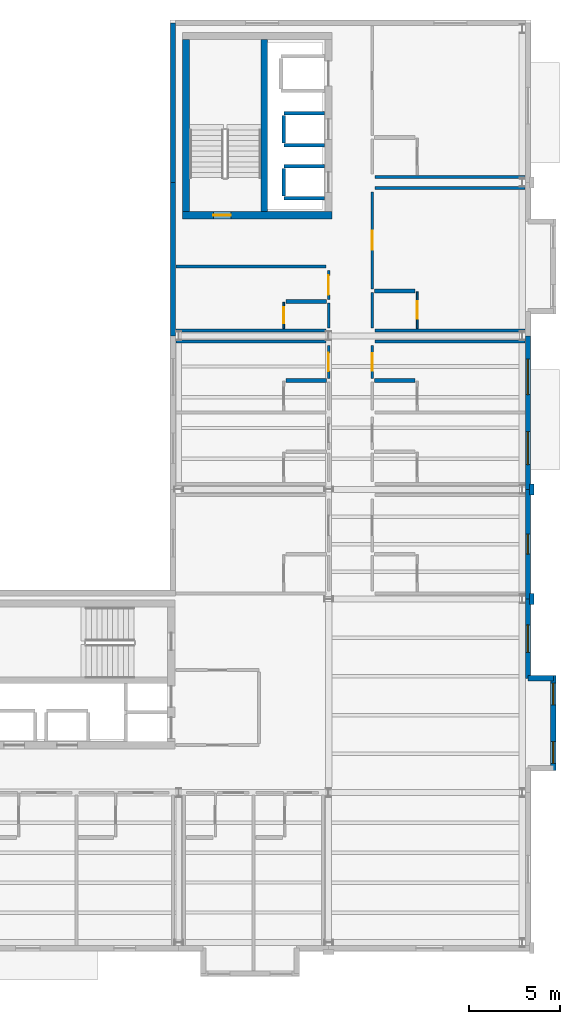
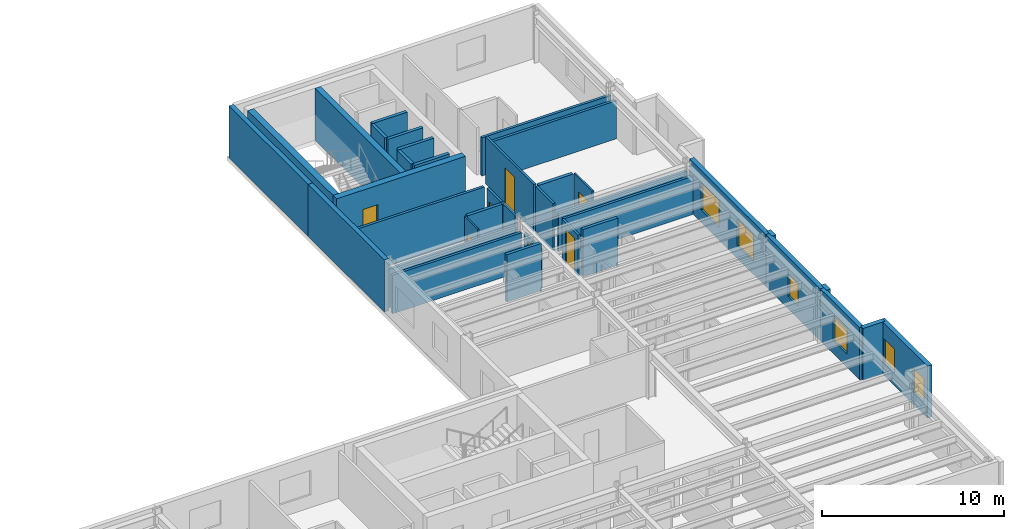
# One storey, part 11 of 17: 37 walls, 7 doors, 6 windows, 13 openings.
"""IFC4 building model written with IfcOpenShell, lengths in metres."""

from ifc_helpers import new_model, si_unit, direction, frame, frame_2d, origin, place, context, subcontext, project, spatial, rectangle, extrude, material, layer, layer_set, type_object, element, fill, save


model = new_model("IFC4")

# Units and contexts
model_context = context("Model", 3, precision=1e-05, world=origin(), true_north=direction((0.0, 1.0)))
body_context = subcontext(model_context, "Body", "Model", "MODEL_VIEW")
ifc_project = project(units=[si_unit("LENGTHUNIT", "METRE"), si_unit("AREAUNIT", "SQUARE_METRE"), si_unit("VOLUMEUNIT", "CUBIC_METRE"), si_unit("PLANEANGLEUNIT", "RADIAN"), si_unit("MASSUNIT", "GRAM", prefix="KILO")], contexts=[model_context])

# Site, building, storey
site_placement = place(None, origin())
site = spatial("IfcSite", under=ifc_project, at=site_placement, CompositionType="ELEMENT")
building_placement = place(site_placement, origin())
building = spatial("IfcBuilding", under=site, at=building_placement, Name="Sollismere Congress Hotel", CompositionType="ELEMENT")
storey_placement = place(building_placement, frame((0.0, 0.0, 41.10009765625)))
storey = spatial("IfcBuildingStorey", under=building, at=storey_placement, Name="L10", CompositionType="ELEMENT", Elevation=41.10009765625)

# Wall, opening, window
ifc_material_1 = material(Name="Colorado Buff Sandstone Rainscreen on Insulated Backup", Category="masonry")
ifc_layer_1 = layer(ifc_material_1, 0.284912109375, Name="Colorado Buff Sandstone Rainscreen on Insulated Backup")
ifc_layer_set_1 = layer_set([ifc_layer_1], Name="Colorado Buff Sandstone Rainscreen on Insulated Backup")
wall_type_1 = type_object("IfcWallType", Name="WL-EXT285", PredefinedType="STANDARD", material=ifc_layer_set_1)
wall_1_placement = place(storey_placement, frame((166.31005859375, 14.4599609375, 0.0), z_axis=(0.0, 0.0, 1.0), x_axis=(0.0, 1.0, 0.0)))
wall_1 = element("IfcWall", 1, at=wall_1_placement, inside=storey, type_object=wall_type_1, Name="Exterior wall EW-L10-969", PredefinedType="STANDARD", context=body_context, shape_type="SweptSolid", body=[
    extrude(rectangle(XDim=4.340087890625, YDim=0.284912109375, at=frame_2d((2.169921875, 0.0))), origin(), (0.0, 0.0, 1.0), 3.5),
])
opening_1_placement = place(wall_1_placement, frame((1.419921875, 0.0, 0.8798828125)))
opening_1 = element("IfcOpeningElement", 2, at=opening_1_placement, cuts=wall_1, Name="Opening W-L10-691", PredefinedType="OPENING", context=body_context, shape_type="SweptSolid", body=[
    extrude(rectangle(XDim=1.5, YDim=1.699951171875, at=frame_2d((0.75, 0.85009765625))), frame((0.0, 0.15234375, 0.0), z_axis=(0.0, -1.0, 0.0), x_axis=(1.0, 0.0, 0.0)), (0.0, 0.0, 1.0), 0.304931640625),
])
ifc_material_2 = material(Name="Thermally Broken Bronze Aluminum & Low-E Glass", Category="aluminium")
window_type_1 = type_object("IfcWindowType", Name="WN-P150x170", PartitioningType="SINGLE_PANEL", PredefinedType="WINDOW", material=ifc_material_2)
window_1_placement = place(opening_1_placement, origin())
window_1 = element("IfcWindow", 3, at=window_1_placement, inside=storey, type_object=window_type_1, Name="WIN-W-L10-691", OverallHeight=1.699951171875, OverallWidth=1.5, PartitioningType="SINGLE_PANEL", PredefinedType="WINDOW", context=body_context, shape_type="SweptSolid", body=[
    extrude(rectangle(XDim=1.5, YDim=1.699951171875, at=frame_2d((0.75, 0.85009765625))), frame((0.0, 0.030029296875, 0.0), z_axis=(0.0, -1.0, 0.0), x_axis=(1.0, 0.0, 0.0)), (0.0, 0.0, 1.0), 0.06005859375),
])
fill(opening_1, window_1)

# Wall, openings, windows
wall_2_placement = place(storey_placement, frame((167.699951171875, 9.39990234375, 0.0), z_axis=(0.0, 0.0, 1.0), x_axis=(0.0, 1.0, 0.0)))
wall_2 = element("IfcWall", 4, at=wall_2_placement, inside=storey, type_object=wall_type_1, Name="Exterior wall EW-L10-970", PredefinedType="STANDARD", context=body_context, shape_type="SweptSolid", body=[
    extrude(rectangle(XDim=5.2001953125, YDim=0.284912109375, at=frame_2d((2.60009765625, 0.0))), origin(), (0.0, 0.0, 1.0), 3.5),
])
opening_2_placement = place(wall_2_placement, frame((0.39990234375, 0.0, 0.85009765625)))
opening_2 = element("IfcOpeningElement", 5, at=opening_2_placement, cuts=wall_2, Name="Opening W-L10-692", PredefinedType="OPENING", context=body_context, shape_type="SweptSolid", body=[
    extrude(rectangle(XDim=1.199951171875, YDim=1.60009765625, at=frame_2d((0.60009765625, 0.800048828125))), frame((0.0, 0.15234375, 0.0), z_axis=(0.0, -1.0, 0.0), x_axis=(1.0, 0.0, 0.0)), (0.0, 0.0, 1.0), 0.304931640625),
])
opening_3_placement = place(wall_2_placement, frame((3.60009765625, 0.0, 0.85009765625)))
opening_3 = element("IfcOpeningElement", 6, at=opening_3_placement, cuts=wall_2, Name="Opening W-L10-693", PredefinedType="OPENING", context=body_context, shape_type="SweptSolid", body=[
    extrude(rectangle(XDim=1.199951171875, YDim=1.60009765625, at=frame_2d((0.60009765625, 0.800048828125))), frame((0.0, 0.15234375, 0.0), z_axis=(0.0, -1.0, 0.0), x_axis=(1.0, 0.0, 0.0)), (0.0, 0.0, 1.0), 0.304931640625),
])
window_type_2 = type_object("IfcWindowType", Name="WN-P120x160", PartitioningType="SINGLE_PANEL", PredefinedType="WINDOW", material=ifc_material_2)
window_2_placement = place(opening_2_placement, origin())
window_2 = element("IfcWindow", 7, at=window_2_placement, inside=storey, type_object=window_type_2, Name="WIN-W-L10-692", OverallHeight=1.60009765625, OverallWidth=1.199951171875, PartitioningType="SINGLE_PANEL", PredefinedType="WINDOW", context=body_context, shape_type="SweptSolid", body=[
    extrude(rectangle(XDim=1.199951171875, YDim=1.60009765625, at=frame_2d((0.60009765625, 0.800048828125))), frame((0.0, 0.030029296875, 0.0), z_axis=(0.0, -1.0, 0.0), x_axis=(1.0, 0.0, 0.0)), (0.0, 0.0, 1.0), 0.06005859375),
])
fill(opening_2, window_2)
window_3_placement = place(opening_3_placement, origin())
window_3 = element("IfcWindow", 8, at=window_3_placement, inside=storey, type_object=window_type_2, Name="WIN-W-L10-693", OverallHeight=1.60009765625, OverallWidth=1.199951171875, PartitioningType="SINGLE_PANEL", PredefinedType="WINDOW", context=body_context, shape_type="SweptSolid", body=[
    extrude(rectangle(XDim=1.199951171875, YDim=1.60009765625, at=frame_2d((0.60009765625, 0.800048828125))), frame((0.0, 0.030029296875, 0.0), z_axis=(0.0, -1.0, 0.0), x_axis=(1.0, 0.0, 0.0)), (0.0, 0.0, 1.0), 0.06005859375),
])
fill(opening_3, window_3)

# Wall
wall_3_placement = place(storey_placement, frame((167.699951171875, 14.4599609375, 0.0), z_axis=(0.0, 0.0, 1.0), x_axis=(-1.0, 0.0, 0.0)))
element("IfcWall", 9, at=wall_3_placement, inside=storey, type_object=wall_type_1, Name="Exterior wall EW-L10-972", PredefinedType="STANDARD", context=body_context, shape_type="SweptSolid", body=[
    extrude(rectangle(XDim=1.389892578125, YDim=0.284912109375, at=frame_2d((0.69482421875, 0.0))), origin(), (0.0, 0.0, 1.0), 3.5),
])

# Wall, opening, window
wall_4_placement = place(storey_placement, frame((166.31005859375, 18.800048828125, 0.0), z_axis=(0.0, 0.0, 1.0), x_axis=(0.0, 1.0, 0.0)))
wall_4 = element("IfcWall", 10, at=wall_4_placement, inside=storey, type_object=wall_type_1, Name="Exterior wall EW-L10-973", PredefinedType="STANDARD", context=body_context, shape_type="SweptSolid", body=[
    extrude(rectangle(XDim=6.0, YDim=0.284912109375, at=frame_2d((3.0, 0.0))), origin(), (0.0, 0.0, 1.0), 3.5),
])
opening_4_placement = place(wall_4_placement, frame((2.449951171875, 0.0, 0.85009765625)))
opening_4 = element("IfcOpeningElement", 11, at=opening_4_placement, cuts=wall_4, Name="Opening W-L10-694", PredefinedType="OPENING", context=body_context, shape_type="SweptSolid", body=[
    extrude(rectangle(XDim=1.10009765625, YDim=1.5, at=frame_2d((0.550048828125, 0.75))), frame((0.0, 0.15234375, 0.0), z_axis=(0.0, -1.0, 0.0), x_axis=(1.0, 0.0, 0.0)), (0.0, 0.0, 1.0), 0.304931640625),
])
window_type_3 = type_object("IfcWindowType", Name="WN-P110x150", PartitioningType="SINGLE_PANEL", PredefinedType="WINDOW", material=ifc_material_2)
window_4_placement = place(opening_4_placement, origin())
window_4 = element("IfcWindow", 12, at=window_4_placement, inside=storey, type_object=window_type_3, Name="WIN-W-L10-694", OverallHeight=1.5, OverallWidth=1.10009765625, PartitioningType="SINGLE_PANEL", PredefinedType="WINDOW", context=body_context, shape_type="SweptSolid", body=[
    extrude(rectangle(XDim=1.10009765625, YDim=1.5, at=frame_2d((0.550048828125, 0.75))), frame((0.0, 0.030029296875, 0.0), z_axis=(0.0, -1.0, 0.0), x_axis=(1.0, 0.0, 0.0)), (0.0, 0.0, 1.0), 0.06005859375),
])
fill(opening_4, window_4)

# Wall, openings, windows
wall_5_placement = place(storey_placement, frame((166.31005859375, 24.800048828125, 0.0), z_axis=(0.0, 0.0, 1.0), x_axis=(0.0, 1.0, 0.0)))
wall_5 = element("IfcWall", 13, at=wall_5_placement, inside=storey, type_object=wall_type_1, Name="Exterior wall EW-L10-975", PredefinedType="STANDARD", context=body_context, shape_type="SweptSolid", body=[
    extrude(rectangle(XDim=8.39990234375, YDim=0.284912109375, at=frame_2d((4.199951171875, 0.0))), origin(), (0.0, 0.0, 1.0), 3.5),
])
opening_5_placement = place(wall_5_placement, frame((1.35009765625, 0.0, 0.85009765625)))
opening_5 = element("IfcOpeningElement", 14, at=opening_5_placement, cuts=wall_5, Name="Opening W-L10-695", PredefinedType="OPENING", context=body_context, shape_type="SweptSolid", body=[
    extrude(rectangle(XDim=1.800048828125, YDim=1.800048828125, at=frame_2d((0.89990234375, 0.89990234375))), frame((0.0, 0.15234375, 0.0), z_axis=(0.0, -1.0, 0.0), x_axis=(1.0, 0.0, 0.0)), (0.0, 0.0, 1.0), 0.304931640625),
])
opening_6_placement = place(wall_5_placement, frame((5.175048828125, 0.0, 0.85009765625)))
opening_6 = element("IfcOpeningElement", 15, at=opening_6_placement, cuts=wall_5, Name="Opening W-L10-696", PredefinedType="OPENING", context=body_context, shape_type="SweptSolid", body=[
    extrude(rectangle(XDim=1.949951171875, YDim=1.85009765625, at=frame_2d((0.97509765625, 0.925048828125))), frame((0.0, 0.15234375, 0.0), z_axis=(0.0, -1.0, 0.0), x_axis=(1.0, 0.0, 0.0)), (0.0, 0.0, 1.0), 0.304931640625),
])
window_type_4 = type_object("IfcWindowType", Name="WN-P180x180", PartitioningType="SINGLE_PANEL", PredefinedType="WINDOW", material=ifc_material_2)
window_5_placement = place(opening_5_placement, origin())
window_5 = element("IfcWindow", 16, at=window_5_placement, inside=storey, type_object=window_type_4, Name="WIN-W-L10-695", OverallHeight=1.800048828125, OverallWidth=1.800048828125, PartitioningType="SINGLE_PANEL", PredefinedType="WINDOW", context=body_context, shape_type="SweptSolid", body=[
    extrude(rectangle(XDim=1.800048828125, YDim=1.800048828125, at=frame_2d((0.89990234375, 0.89990234375))), frame((0.0, 0.030029296875, 0.0), z_axis=(0.0, -1.0, 0.0), x_axis=(1.0, 0.0, 0.0)), (0.0, 0.0, 1.0), 0.06005859375),
])
fill(opening_5, window_5)
window_type_5 = type_object("IfcWindowType", Name="WN-P195x185", PartitioningType="SINGLE_PANEL", PredefinedType="WINDOW", material=ifc_material_2)
window_6_placement = place(opening_6_placement, origin())
window_6 = element("IfcWindow", 17, at=window_6_placement, inside=storey, type_object=window_type_5, Name="WIN-W-L10-696", OverallHeight=1.85009765625, OverallWidth=1.949951171875, PartitioningType="SINGLE_PANEL", PredefinedType="WINDOW", context=body_context, shape_type="SweptSolid", body=[
    extrude(rectangle(XDim=1.949951171875, YDim=1.85009765625, at=frame_2d((0.97509765625, 0.925048828125))), frame((0.0, 0.030029296875, 0.0), z_axis=(0.0, -1.0, 0.0), x_axis=(1.0, 0.0, 0.0)), (0.0, 0.0, 1.0), 0.06005859375),
])
fill(opening_6, window_6)

# Walls
wall_6_placement = place(storey_placement, frame((146.889892578125, 33.199951171875, 0.0), z_axis=(0.0, 0.0, 1.0), x_axis=(0.0, 1.0, 0.0)))
element("IfcWall", 18, at=wall_6_placement, inside=storey, type_object=wall_type_1, Name="Exterior wall EW-L10-992", PredefinedType="STANDARD", context=body_context, shape_type="SweptSolid", body=[
    extrude(rectangle(XDim=8.400146484375, YDim=0.284912109375, at=frame_2d((4.2001953125, 0.0))), origin(), (0.0, 0.0, 1.0), 3.5),
])
wall_7_placement = place(storey_placement, frame((146.889892578125, 41.60009765625, 0.0), z_axis=(0.0, 0.0, 1.0), x_axis=(0.0, 1.0, 0.0)))
element("IfcWall", 19, at=wall_7_placement, inside=storey, type_object=wall_type_1, Name="Exterior wall EW-L10-993", PredefinedType="STANDARD", context=body_context, shape_type="SweptSolid", body=[
    extrude(rectangle(XDim=8.7099609375, YDim=0.284912109375, at=frame_2d((4.35498046875, 0.0))), origin(), (0.0, 0.0, 1.0), 3.5),
])
ifc_material_3 = material(Name="Carved Travertine Pilaster & Frieze Assembly", Category="masonry")
ifc_layer_2 = layer(ifc_material_3, 0.260009765625, Name="Carved Travertine Pilaster & Frieze Assembly")
ifc_layer_set_2 = layer_set([ifc_layer_2], Name="Carved Travertine Pilaster & Frieze Assembly")
wall_type_2 = type_object("IfcWallType", Name="WL-PIL280", PredefinedType="ELEMENTEDWALL", material=ifc_layer_set_2)
for number, where, z_axis, x_axis, name in (
    (20, (166.52001953125, 18.5, 0.0), (0.0, 0.0, 1.0), (0.0, 1.0, 0.0), "Exterior wall EW-L10-974"),
    (21, (166.52001953125, 24.5, 0.0), (0.0, 0.0, 1.0), (0.0, 1.0, 0.0), "Exterior wall EW-L10-976"),
):
    element("IfcWall", number, at=place(storey_placement, frame(where, z_axis=z_axis, x_axis=x_axis)), inside=storey, type_object=wall_type_2, Name=name, PredefinedType="ELEMENTEDWALL", context=body_context, shape_type="SweptSolid", body=[
        extrude(rectangle(XDim=0.60009765625, YDim=0.260009765625, at=frame_2d((0.300048828125, 0.0))), origin(), (0.0, 0.0, 1.0), 3.5),
    ])
ifc_material_4 = material(Name="Moisture-Resistant Shaft Gypsum Assembly")
ifc_layer_3 = layer(ifc_material_4, 0.199951171875, Name="Moisture-Resistant Shaft Gypsum Assembly")
ifc_layer_set_3 = layer_set([ifc_layer_3], Name="Moisture-Resistant Shaft Gypsum Assembly")
wall_type_3 = type_object("IfcWallType", Name="WL-PLM200", PredefinedType="PLUMBINGWALL", material=ifc_layer_set_3)
for number, where, z_axis, x_axis, name in (
    (22, (152.955078125, 40.72998046875, 0.0), (0.0, 0.0, 1.0), (1.0, 0.0, 0.0), "Interior wall IW-L10-0537"),
    (23, (152.955078125, 42.469970703125, 0.0), (0.0, 0.0, 1.0), (1.0, 0.0, 0.0), "Interior wall IW-L10-0538"),
):
    element("IfcWall", number, at=place(storey_placement, frame(where, z_axis=z_axis, x_axis=x_axis)), inside=storey, type_object=wall_type_3, Name=name, PredefinedType="PLUMBINGWALL", context=body_context, shape_type="SweptSolid", body=[
        extrude(rectangle(XDim=2.23291015625, YDim=0.199951171875, at=frame_2d((1.116455078125, 0.0))), origin(), (0.0, 0.0, 1.0), 3.179931640625),
    ])
wall_8_placement = place(storey_placement, frame((152.955078125, 40.842041015625, 0.0), z_axis=(0.0, 0.0, 1.0), x_axis=(0.0, 1.0, 0.0)))
element("IfcWall", 24, at=wall_8_placement, inside=storey, type_object=wall_type_3, Name="Interior wall IW-L10-0539", PredefinedType="PLUMBINGWALL", context=body_context, shape_type="SweptSolid", body=[
    extrude(rectangle(XDim=1.515869140625, YDim=0.199951171875, at=frame_2d((0.7578125, 0.0))), origin(), (0.0, 0.0, 1.0), 3.179931640625),
])
for number, where, z_axis, x_axis, name in (
    (25, (152.955078125, 43.6298828125, 0.0), (0.0, 0.0, 1.0), (1.0, 0.0, 0.0), "Interior wall IW-L10-0540"),
    (26, (152.955078125, 45.3701171875, 0.0), (0.0, 0.0, 1.0), (1.0, 0.0, 0.0), "Interior wall IW-L10-0541"),
):
    element("IfcWall", number, at=place(storey_placement, frame(where, z_axis=z_axis, x_axis=x_axis)), inside=storey, type_object=wall_type_3, Name=name, PredefinedType="PLUMBINGWALL", context=body_context, shape_type="SweptSolid", body=[
        extrude(rectangle(XDim=2.23291015625, YDim=0.199951171875, at=frame_2d((1.116455078125, 0.0))), origin(), (0.0, 0.0, 1.0), 3.179931640625),
    ])
wall_9_placement = place(storey_placement, frame((152.955078125, 43.741943359375, 0.0), z_axis=(0.0, 0.0, 1.0), x_axis=(0.0, 1.0, 0.0)))
element("IfcWall", 27, at=wall_9_placement, inside=storey, type_object=wall_type_3, Name="Interior wall IW-L10-0542", PredefinedType="PLUMBINGWALL", context=body_context, shape_type="SweptSolid", body=[
    extrude(rectangle(XDim=1.51611328125, YDim=0.199951171875, at=frame_2d((0.758056640625, 0.0))), origin(), (0.0, 0.0, 1.0), 3.179931640625),
])
for number, where, z_axis, x_axis, name in (
    (28, (157.919921875, 30.7548828125, 0.0), (0.0, 0.0, 1.0), (1.0, 0.0, 0.0), "Interior wall IW-L10-2832"),
    (29, (153.070068359375, 30.7548828125, 0.0), (0.0, 0.0, 1.0), (1.0, 0.0, 0.0), "Interior wall IW-L10-2843"),
    (30, (157.919921875, 35.64990234375, 0.0), (0.0, 0.0, 1.0), (1.0, 0.0, 0.0), "Interior wall IW-L10-2849"),
    (31, (153.070068359375, 35.074951171875, 0.0), (0.0, 0.0, 1.0), (1.0, 0.0, 0.0), "Interior wall IW-L10-2855"),
):
    element("IfcWall", number, at=place(storey_placement, frame(where, z_axis=z_axis, x_axis=x_axis)), inside=storey, type_object=wall_type_3, Name=name, PredefinedType="PLUMBINGWALL", context=body_context, shape_type="SweptSolid", body=[
        extrude(rectangle(XDim=2.2099609375, YDim=0.199951171875, at=frame_2d((1.10498046875, 0.0))), origin(), (0.0, 0.0, 1.0), 3.179931640625),
    ])

# Wall, opening, door
ifc_material_5 = material(Name="Moisture-Resistant Gypsum Partition")
ifc_layer_4 = layer(ifc_material_5, 0.10009765625, Name="Moisture-Resistant Gypsum Partition")
ifc_layer_set_4 = layer_set([ifc_layer_4], Name="Moisture-Resistant Gypsum Partition")
wall_type_4 = type_object("IfcWallType", Name="WL-PRT100", PredefinedType="PARTITIONING", material=ifc_layer_set_4)
wall_10_placement = place(storey_placement, frame((160.25, 33.594482421875, 0.0), z_axis=(0.0, 0.0, 1.0), x_axis=(0.0, 1.0, 0.0)))
wall_10 = element("IfcWall", 32, at=wall_10_placement, inside=storey, type_object=wall_type_4, Name="Interior wall IW-L10-2850", PredefinedType="PARTITIONING", context=body_context, shape_type="SweptSolid", body=[
    extrude(rectangle(XDim=2.015625, YDim=0.10009765625, at=frame_2d((1.0078125, 0.0))), origin(), (0.0, 0.0, 1.0), 3.179931640625),
])
opening_7_placement = place(wall_10_placement, frame((0.530029296875, 0.0, 0.0)))
opening_7 = element("IfcOpeningElement", 33, at=opening_7_placement, cuts=wall_10, Name="Opening D-L10-1007", PredefinedType="OPENING", context=body_context, shape_type="SweptSolid", body=[
    extrude(rectangle(XDim=0.955078125, YDim=2.219970703125, at=frame_2d((0.4775390625, 1.10986328125))), frame((0.0, 0.06005859375, 0.0), z_axis=(0.0, -1.0, 0.0), x_axis=(1.0, 0.0, 0.0)), (0.0, 0.0, 1.0), 0.1201171875),
])
ifc_material_6 = material(Name="Moisture-Sealed Timber Bathroom Door", Category="wood")
door_type_1 = type_object("IfcDoorType", Name="DR-BT08", OperationType="NOTDEFINED", PredefinedType="DOOR", material=ifc_material_6)
door_1_placement = place(opening_7_placement, origin())
door_1 = element("IfcDoor", 34, at=door_1_placement, inside=storey, type_object=door_type_1, Name="En-suite bathroom door D-L10-1007", OperationType="SINGLE_SWING_RIGHT", OverallHeight=2.219970703125, OverallWidth=0.955078125, PredefinedType="DOOR", context=body_context, shape_type="SweptSolid", body=[
    extrude(rectangle(XDim=0.955078125, YDim=2.219970703125, at=frame_2d((0.4775390625, 1.10986328125))), frame((0.0, 0.02490234375, 0.0), z_axis=(0.0, -1.0, 0.0), x_axis=(1.0, 0.0, 0.0)), (0.0, 0.0, 1.0), 0.050048828125),
])
fill(opening_7, door_1)

wall_11_placement = place(storey_placement, frame((152.949951171875, 33.594482421875, 0.0), z_axis=(0.0, 0.0, 1.0), x_axis=(0.0, 1.0, 0.0)))
wall_11 = element("IfcWall", 35, at=wall_11_placement, inside=storey, type_object=wall_type_4, Name="Interior wall IW-L10-2856", PredefinedType="PARTITIONING", context=body_context, shape_type="SweptSolid", body=[
    extrude(rectangle(XDim=1.4404296875, YDim=0.10009765625, at=frame_2d((0.72021484375, 0.0))), origin(), (0.0, 0.0, 1.0), 3.179931640625),
])
opening_8_placement = place(wall_11_placement, frame((0.280029296875, 0.0, 0.0)))
opening_8 = element("IfcOpeningElement", 36, at=opening_8_placement, cuts=wall_11, Name="Opening D-L10-1009", PredefinedType="OPENING", context=body_context, shape_type="SweptSolid", body=[
    extrude(rectangle(XDim=0.8798828125, YDim=2.10009765625, at=frame_2d((0.43994140625, 1.050048828125))), frame((0.0, 0.06005859375, 0.0), z_axis=(0.0, -1.0, 0.0), x_axis=(1.0, 0.0, 0.0)), (0.0, 0.0, 1.0), 0.1201171875),
])
door_type_2 = type_object("IfcDoorType", Name="DR-BT01", OperationType="NOTDEFINED", PredefinedType="DOOR", material=ifc_material_6)
door_2_placement = place(opening_8_placement, origin())
door_2 = element("IfcDoor", 37, at=door_2_placement, inside=storey, type_object=door_type_2, Name="En-suite bathroom door D-L10-1009", OperationType="SINGLE_SWING_RIGHT", OverallHeight=2.10009765625, OverallWidth=0.8798828125, PredefinedType="DOOR", context=body_context, shape_type="SweptSolid", body=[
    extrude(rectangle(XDim=0.8798828125, YDim=2.10009765625, at=frame_2d((0.43994140625, 1.050048828125))), frame((0.0, 0.02490234375, 0.0), z_axis=(0.0, -1.0, 0.0), x_axis=(1.0, 0.0, 0.0)), (0.0, 0.0, 1.0), 0.050048828125),
])
fill(opening_8, door_2)

ifc_material_7 = material(Name="Fire-Rated Gypsum Partition")
ifc_layer_5 = layer(ifc_material_7, 0.139892578125, Name="Fire-Rated Gypsum Partition")
ifc_layer_set_5 = layer_set([ifc_layer_5], Name="Fire-Rated Gypsum Partition")
wall_type_5 = type_object("IfcWallType", Name="WL-PRT140R", PredefinedType="PARTITIONING", material=ifc_layer_set_5)
wall_12_placement = place(storey_placement, frame((157.800048828125, 30.875, 0.0), z_axis=(0.0, 0.0, 1.0), x_axis=(0.0, 1.0, 0.0)))
wall_12 = element("IfcWall", 38, at=wall_12_placement, inside=storey, type_object=wall_type_5, Name="Interior wall IW-L10-2830", PredefinedType="PARTITIONING", context=body_context, shape_type="SweptSolid", body=[
    extrude(rectangle(XDim=1.784912109375, YDim=0.139892578125, at=frame_2d((0.892578125, 0.0))), origin(), (0.0, 0.0, 1.0), 2.73779296875),
])
opening_9_placement = place(wall_12_placement, frame((0.4169921875, 0.0, 0.0)))
opening_9 = element("IfcOpeningElement", 39, at=opening_9_placement, cuts=wall_12, Name="Opening D-L10-1000", PredefinedType="OPENING", context=body_context, shape_type="SweptSolid", body=[
    extrude(rectangle(XDim=0.949951171875, YDim=2.300048828125, at=frame_2d((0.47509765625, 1.14990234375))), frame((0.0, 0.079833984375, 0.0), z_axis=(0.0, -1.0, 0.0), x_axis=(1.0, 0.0, 0.0)), (0.0, 0.0, 1.0), 0.159912109375),
])
ifc_material_8 = material(Name="Solid-Core Acoustic Walnut Guestroom Entry Door")
door_type_3 = type_object("IfcDoorType", Name="DR-KY08", OperationType="NOTDEFINED", PredefinedType="DOOR", material=ifc_material_8)
door_3_placement = place(opening_9_placement, origin())
door_3 = element("IfcDoor", 40, at=door_3_placement, inside=storey, type_object=door_type_3, Name="Hotel room entry door D-L10-1000", OperationType="SINGLE_SWING_LEFT", OverallHeight=2.300048828125, OverallWidth=0.949951171875, PredefinedType="DOOR", context=body_context, shape_type="SweptSolid", body=[
    extrude(rectangle(XDim=0.949951171875, YDim=2.300048828125, at=frame_2d((0.47509765625, 1.14990234375))), frame((0.0, 0.02490234375, 0.0), z_axis=(0.0, -1.0, 0.0), x_axis=(1.0, 0.0, 0.0)), (0.0, 0.0, 1.0), 0.050048828125),
])
fill(opening_9, door_3)

wall_13_placement = place(storey_placement, frame((155.39990234375, 30.875, 0.0), z_axis=(0.0, 0.0, 1.0), x_axis=(0.0, 1.0, 0.0)))
wall_13 = element("IfcWall", 41, at=wall_13_placement, inside=storey, type_object=wall_type_5, Name="Interior wall IW-L10-2841", PredefinedType="PARTITIONING", context=body_context, shape_type="SweptSolid", body=[
    extrude(rectangle(XDim=1.784912109375, YDim=0.139892578125, at=frame_2d((0.892578125, 0.0))), origin(), (0.0, 0.0, 1.0), 2.65380859375),
])
opening_10_placement = place(wall_13_placement, frame((0.386962890625, 0.0, 0.0)))
opening_10 = element("IfcOpeningElement", 42, at=opening_10_placement, cuts=wall_13, Name="Opening D-L10-1004", PredefinedType="OPENING", context=body_context, shape_type="SweptSolid", body=[
    extrude(rectangle(XDim=1.010009765625, YDim=2.35009765625, at=frame_2d((0.5048828125, 1.175048828125))), frame((0.0, 0.079833984375, 0.0), z_axis=(0.0, -1.0, 0.0), x_axis=(1.0, 0.0, 0.0)), (0.0, 0.0, 1.0), 0.159912109375),
])
door_type_4 = type_object("IfcDoorType", Name="DR-KY10", OperationType="NOTDEFINED", PredefinedType="DOOR", material=ifc_material_8)
door_4_placement = place(opening_10_placement, origin())
door_4 = element("IfcDoor", 43, at=door_4_placement, inside=storey, type_object=door_type_4, Name="Hotel room entry door D-L10-1004", OperationType="SINGLE_SWING_LEFT", OverallHeight=2.35009765625, OverallWidth=1.010009765625, PredefinedType="DOOR", context=body_context, shape_type="SweptSolid", body=[
    extrude(rectangle(XDim=1.010009765625, YDim=2.35009765625, at=frame_2d((0.5048828125, 1.175048828125))), frame((0.0, 0.02490234375, 0.0), z_axis=(0.0, -1.0, 0.0), x_axis=(1.0, 0.0, 0.0)), (0.0, 0.0, 1.0), 0.050048828125),
])
fill(opening_10, door_4)

# Wall
wall_14_placement = place(storey_placement, frame((157.800048828125, 33.639892578125, 0.0), z_axis=(0.0, 0.0, 1.0), x_axis=(0.0, 1.0, 0.0)))
element("IfcWall", 44, at=wall_14_placement, inside=storey, type_object=wall_type_5, Name="Interior wall IW-L10-2845", PredefinedType="PARTITIONING", context=body_context, shape_type="SweptSolid", body=[
    extrude(rectangle(XDim=1.93017578125, YDim=0.139892578125, at=frame_2d((0.965087890625, 0.0))), origin(), (0.0, 0.0, 1.0), 3.179931640625),
])

# Wall, opening, door
wall_15_placement = place(storey_placement, frame((157.800048828125, 35.77001953125, 0.0), z_axis=(0.0, 0.0, 1.0), x_axis=(0.0, 1.0, 0.0)))
wall_15 = element("IfcWall", 45, at=wall_15_placement, inside=storey, type_object=wall_type_5, Name="Interior wall IW-L10-2846", PredefinedType="PARTITIONING", context=body_context, shape_type="SweptSolid", body=[
    extrude(rectangle(XDim=5.2900390625, YDim=0.139892578125, at=frame_2d((2.64501953125, 0.0))), origin(), (0.0, 0.0, 1.0), 3.179931640625),
])
opening_11_placement = place(wall_15_placement, frame((2.125, 0.0, 0.0)))
opening_11 = element("IfcOpeningElement", 46, at=opening_11_placement, cuts=wall_15, Name="Opening D-L10-1006", PredefinedType="OPENING", context=body_context, shape_type="SweptSolid", body=[
    extrude(rectangle(XDim=1.0400390625, YDim=2.39990234375, at=frame_2d((0.52001953125, 1.199951171875))), frame((0.0, 0.079833984375, 0.0), z_axis=(0.0, -1.0, 0.0), x_axis=(1.0, 0.0, 0.0)), (0.0, 0.0, 1.0), 0.159912109375),
])
door_type_5 = type_object("IfcDoorType", Name="DR-KY11", OperationType="NOTDEFINED", PredefinedType="DOOR", material=ifc_material_8)
door_5_placement = place(opening_11_placement, origin())
door_5 = element("IfcDoor", 47, at=door_5_placement, inside=storey, type_object=door_type_5, Name="Hotel room entry door D-L10-1006", OperationType="SINGLE_SWING_LEFT", OverallHeight=2.39990234375, OverallWidth=1.0400390625, PredefinedType="DOOR", context=body_context, shape_type="SweptSolid", body=[
    extrude(rectangle(XDim=1.0400390625, YDim=2.39990234375, at=frame_2d((0.52001953125, 1.199951171875))), frame((0.0, 0.02490234375, 0.0), z_axis=(0.0, -1.0, 0.0), x_axis=(1.0, 0.0, 0.0)), (0.0, 0.0, 1.0), 0.050048828125),
])
fill(opening_11, door_5)

# Wall
wall_16_placement = place(storey_placement, frame((155.39990234375, 33.639892578125, 0.0), z_axis=(0.0, 0.0, 1.0), x_axis=(0.0, 1.0, 0.0)))
element("IfcWall", 48, at=wall_16_placement, inside=storey, type_object=wall_type_5, Name="Interior wall IW-L10-2851", PredefinedType="PARTITIONING", context=body_context, shape_type="SweptSolid", body=[
    extrude(rectangle(XDim=1.355224609375, YDim=0.139892578125, at=frame_2d((0.677734375, 0.0))), origin(), (0.0, 0.0, 1.0), 3.179931640625),
])

# Wall, opening, door
wall_17_placement = place(storey_placement, frame((155.39990234375, 35.195068359375, 0.0), z_axis=(0.0, 0.0, 1.0), x_axis=(0.0, 1.0, 0.0)))
wall_17 = element("IfcWall", 49, at=wall_17_placement, inside=storey, type_object=wall_type_5, Name="Interior wall IW-L10-2852", PredefinedType="PARTITIONING", context=body_context, shape_type="SweptSolid", body=[
    extrude(rectangle(XDim=1.56494140625, YDim=0.139892578125, at=frame_2d((0.782470703125, 0.0))), origin(), (0.0, 0.0, 1.0), 3.179931640625),
])
opening_12_placement = place(wall_17_placement, frame((0.2470703125, 0.0, 0.0)))
opening_12 = element("IfcOpeningElement", 50, at=opening_12_placement, cuts=wall_17, Name="Opening D-L10-1008", PredefinedType="OPENING", context=body_context, shape_type="SweptSolid", body=[
    extrude(rectangle(XDim=1.070068359375, YDim=2.39990234375, at=frame_2d((0.53515625, 1.199951171875))), frame((0.0, 0.079833984375, 0.0), z_axis=(0.0, -1.0, 0.0), x_axis=(1.0, 0.0, 0.0)), (0.0, 0.0, 1.0), 0.159912109375),
])
door_type_6 = type_object("IfcDoorType", Name="DR-KY12", OperationType="NOTDEFINED", PredefinedType="DOOR", material=ifc_material_8)
door_6_placement = place(opening_12_placement, origin())
door_6 = element("IfcDoor", 51, at=door_6_placement, inside=storey, type_object=door_type_6, Name="Hotel room entry door D-L10-1008", OperationType="SINGLE_SWING_LEFT", OverallHeight=2.39990234375, OverallWidth=1.070068359375, PredefinedType="DOOR", context=body_context, shape_type="SweptSolid", body=[
    extrude(rectangle(XDim=1.070068359375, YDim=2.39990234375, at=frame_2d((0.53515625, 1.199951171875))), frame((0.0, 0.02490234375, 0.0), z_axis=(0.0, -1.0, 0.0), x_axis=(1.0, 0.0, 0.0)), (0.0, 0.0, 1.0), 0.050048828125),
])
fill(opening_12, door_6)

# Walls
ifc_material_9 = material(Name="Fire-Rated Acoustic Gypsum Partition")
ifc_layer_6 = layer(ifc_material_9, 0.1650390625, Name="Fire-Rated Acoustic Gypsum Partition")
ifc_layer_set_6 = layer_set([ifc_layer_6], Name="Fire-Rated Acoustic Gypsum Partition")
wall_type_6 = type_object("IfcWallType", Name="WL-PRT165R", PredefinedType="PARTITIONING", material=ifc_layer_set_6)
wall_18_placement = place(storey_placement, frame((157.93994140625, 32.89990234375, 0.0), z_axis=(0.0, 0.0, 1.0), x_axis=(1.0, 0.0, 0.0)))
element("IfcWall", 52, at=wall_18_placement, inside=storey, type_object=wall_type_6, Name="Interior wall IW-L10-2831", PredefinedType="PARTITIONING", context=body_context, shape_type="SweptSolid", body=[
    extrude(rectangle(XDim=8.212646484375, YDim=0.1650390625, at=frame_2d((4.1064453125, 0.0))), origin(), (0.0, 0.0, 1.0), 2.56982421875),
])
wall_19_placement = place(storey_placement, frame((147.047607421875, 32.89990234375, 0.0), z_axis=(0.0, 0.0, 1.0), x_axis=(1.0, 0.0, 0.0)))
element("IfcWall", 53, at=wall_19_placement, inside=storey, type_object=wall_type_6, Name="Interior wall IW-L10-2842", PredefinedType="PARTITIONING", context=body_context, shape_type="SweptSolid", body=[
    extrude(rectangle(XDim=8.21240234375, YDim=0.1650390625, at=frame_2d((4.106201171875, 0.0))), origin(), (0.0, 0.0, 1.0), 2.593017578125),
])
for number, where, z_axis, x_axis, name in (
    (54, (157.93994140625, 33.5, 0.0), (0.0, 0.0, 1.0), (1.0, 0.0, 0.0), "Interior wall IW-L10-2847"),
    (55, (157.93994140625, 41.300048828125, 0.0), (0.0, 0.0, 1.0), (1.0, 0.0, 0.0), "Interior wall IW-L10-2848"),
):
    element("IfcWall", number, at=place(storey_placement, frame(where, z_axis=z_axis, x_axis=x_axis)), inside=storey, type_object=wall_type_6, Name=name, PredefinedType="PARTITIONING", context=body_context, shape_type="SweptSolid", body=[
        extrude(rectangle(XDim=8.212646484375, YDim=0.1650390625, at=frame_2d((4.1064453125, 0.0))), origin(), (0.0, 0.0, 1.0), 2.56982421875),
    ])
wall_20_placement = place(storey_placement, frame((147.047607421875, 33.5, 0.0), z_axis=(0.0, 0.0, 1.0), x_axis=(1.0, 0.0, 0.0)))
element("IfcWall", 56, at=wall_20_placement, inside=storey, type_object=wall_type_6, Name="Interior wall IW-L10-2853", PredefinedType="PARTITIONING", context=body_context, shape_type="SweptSolid", body=[
    extrude(rectangle(XDim=8.21240234375, YDim=0.1650390625, at=frame_2d((4.106201171875, 0.0))), origin(), (0.0, 0.0, 1.0), 2.593017578125),
])
wall_21_placement = place(storey_placement, frame((147.047607421875, 37.0, 0.0), z_axis=(0.0, 0.0, 1.0), x_axis=(1.0, 0.0, 0.0)))
element("IfcWall", 57, at=wall_21_placement, inside=storey, type_object=wall_type_6, Name="Interior wall IW-L10-2854", PredefinedType="PARTITIONING", context=body_context, shape_type="SweptSolid", body=[
    extrude(rectangle(XDim=8.21240234375, YDim=0.1650390625, at=frame_2d((4.106201171875, 0.0))), origin(), (0.0, 0.0, 1.0), 3.179931640625),
])
wall_22_placement = place(storey_placement, frame((157.93994140625, 41.89990234375, 0.0), z_axis=(0.0, 0.0, 1.0), x_axis=(1.0, 0.0, 0.0)))
element("IfcWall", 58, at=wall_22_placement, inside=storey, type_object=wall_type_6, Name="Interior wall IW-L10-2859", PredefinedType="PARTITIONING", context=body_context, shape_type="SweptSolid", body=[
    extrude(rectangle(XDim=8.212646484375, YDim=0.1650390625, at=frame_2d((4.1064453125, 0.0))), origin(), (0.0, 0.0, 1.0), 2.56982421875),
])
ifc_material_10 = material(Name="Concrete C50/60", Category="concrete")
ifc_layer_7 = layer(ifc_material_10, 0.35009765625, Name="Concrete C50/60")
ifc_layer_set_7 = layer_set([ifc_layer_7], Name="Concrete C50/60")
wall_type_7 = type_object("IfcWallType", Name="WL-SHR350", PredefinedType="SHEAR", material=ifc_layer_set_7)
wall_23_placement = place(storey_placement, frame((151.875, 40.0, 0.0), z_axis=(0.0, 0.0, 1.0), x_axis=(0.0, 1.0, 0.0)))
element("IfcWall", 59, at=wall_23_placement, inside=storey, type_object=wall_type_7, Name="Interior wall IW-L10-0536", PredefinedType="SHEAR", context=body_context, shape_type="SweptSolid", body=[
    extrude(rectangle(XDim=9.39990234375, YDim=0.35009765625, at=frame_2d((4.699951171875, 0.0))), origin(), (0.0, 0.0, 1.0), 3.5),
])

# Wall, opening, door
ifc_layer_8 = layer(ifc_material_10, 0.39990234375, Name="Concrete C50/60")
ifc_layer_set_8 = layer_set([ifc_layer_8], Name="Concrete C50/60")
wall_type_8 = type_object("IfcWallType", Name="WL-SHR400", PredefinedType="SHEAR", material=ifc_layer_set_8)
wall_24_placement = place(storey_placement, frame((147.39990234375, 39.800048828125, 0.0), z_axis=(0.0, 0.0, 1.0), x_axis=(1.0, 0.0, 0.0)))
wall_24 = element("IfcWall", 60, at=wall_24_placement, inside=storey, type_object=wall_type_8, Name="Interior wall IW-L10-0532", PredefinedType="SHEAR", context=body_context, shape_type="SweptSolid", body=[
    extrude(rectangle(XDim=8.2001953125, YDim=0.39990234375, at=frame_2d((4.10009765625, 0.0))), origin(), (0.0, 0.0, 1.0), 3.5),
])
opening_13_placement = place(wall_24_placement, frame((1.699951171875, 0.0, 0.0)))
opening_13 = element("IfcOpeningElement", 61, at=opening_13_placement, cuts=wall_24, Name="Opening D-ST-03-L10", PredefinedType="OPENING", context=body_context, shape_type="SweptSolid", body=[
    extrude(rectangle(XDim=0.949951171875, YDim=2.199951171875, at=frame_2d((0.47509765625, 1.10009765625))), frame((0.0, 0.2099609375, 0.0), z_axis=(0.0, -1.0, 0.0), x_axis=(1.0, 0.0, 0.0)), (0.0, 0.0, 1.0), 0.419921875),
])
ifc_material_11 = material(Name="Fire-Rated Insulated Steel Door", Category="steel")
door_type_7 = type_object("IfcDoorType", Name="DR-FD90", OperationType="NOTDEFINED", PredefinedType="DOOR", material=ifc_material_11)
door_7_placement = place(opening_13_placement, origin())
door_7 = element("IfcDoor", 62, at=door_7_placement, inside=storey, type_object=door_type_7, Name="Exit stair fire door D-ST-03-L10", OperationType="SINGLE_SWING_RIGHT", OverallHeight=2.199951171875, OverallWidth=0.949951171875, PredefinedType="DOOR", context=body_context, shape_type="SweptSolid", body=[
    extrude(rectangle(XDim=0.949951171875, YDim=2.199951171875, at=frame_2d((0.47509765625, 1.10009765625))), frame((0.0, 0.02490234375, 0.0), z_axis=(0.0, -1.0, 0.0), x_axis=(1.0, 0.0, 0.0)), (0.0, 0.0, 1.0), 0.050048828125),
])
fill(opening_13, door_7)

# Wall
wall_25_placement = place(storey_placement, frame((147.60009765625, 49.39990234375, 0.0), z_axis=(0.0, 0.0, 1.0), x_axis=(0.0, -1.0, 0.0)))
element("IfcWall", 63, at=wall_25_placement, inside=storey, type_object=wall_type_8, Name="Interior wall IW-L10-0534", PredefinedType="SHEAR", context=body_context, shape_type="SweptSolid", body=[
    extrude(rectangle(XDim=9.39990234375, YDim=0.39990234375, at=frame_2d((4.699951171875, 0.0))), origin(), (0.0, 0.0, 1.0), 3.5),
])

save(model, "model.ifc")
